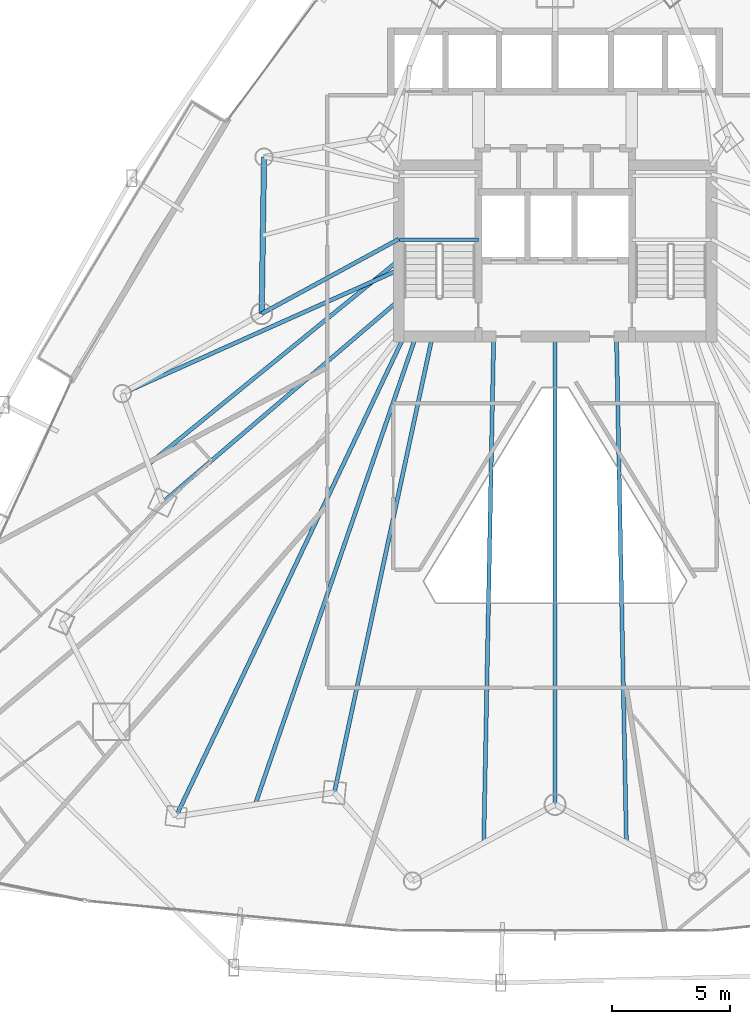
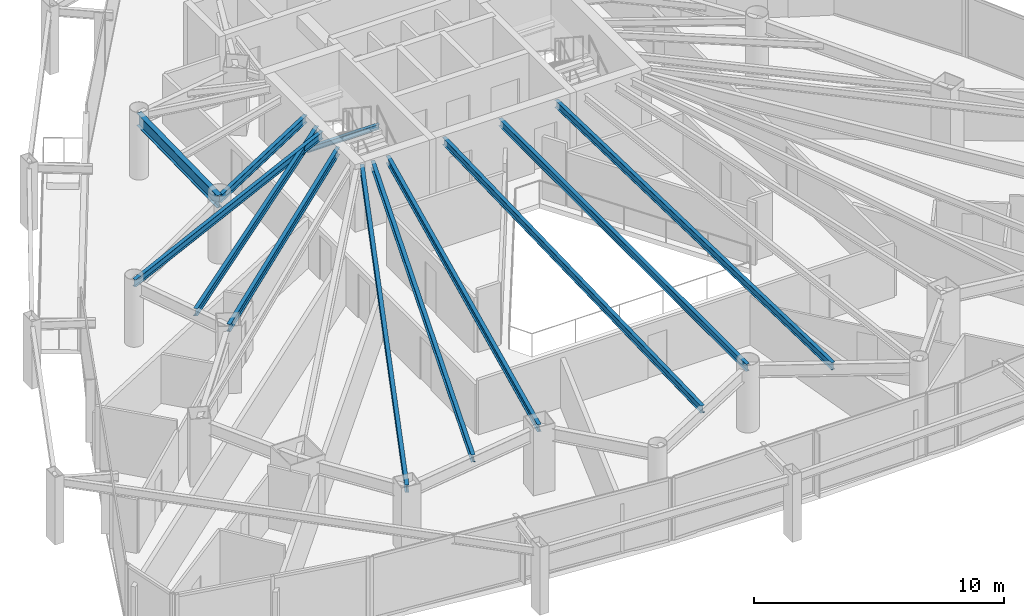
# One storey, part 12 of 38: 12 beams.
"""IFC4 building model written with IfcOpenShell, lengths in metres."""

from ifc_helpers import new_model, si_unit, direction, frame, origin, origin_2d, place, context, subcontext, project, spatial, i_section, extrude, material, material_profile, profile_set, type_object, element, save


model = new_model("IFC4")

# Units and contexts
model_context = context("Model", 3, precision=1e-05, world=origin(), true_north=direction((0.0, 1.0)))
body_context = subcontext(model_context, "Body", "Model", "MODEL_VIEW")
ifc_project = project(units=[si_unit("LENGTHUNIT", "METRE"), si_unit("AREAUNIT", "SQUARE_METRE"), si_unit("VOLUMEUNIT", "CUBIC_METRE"), si_unit("PLANEANGLEUNIT", "RADIAN"), si_unit("MASSUNIT", "GRAM", prefix="KILO")], contexts=[model_context])

# Site, building, storey
site_placement = place(None, origin())
site = spatial("IfcSite", under=ifc_project, at=site_placement, CompositionType="ELEMENT")
building_placement = place(site_placement, origin())
building = spatial("IfcBuilding", under=site, at=building_placement, Name="Orvanel Arch Residences", CompositionType="ELEMENT")
storey_placement = place(building_placement, frame((0.0, 0.0, 46.699951171875)))
storey = spatial("IfcBuildingStorey", under=building, at=storey_placement, Name="L12", CompositionType="ELEMENT", Elevation=46.699951171875)

# Beams
ifc_material = material(Name="Structural steel AS/NZS 3679.1 Grade 300 (300 MPa)", Category="steel")
ifc_material_profile_1 = material_profile(ifc_material, i_section(OverallWidth=0.14599609375, OverallDepth=0.251953125, WebThickness=0.006103515625, FlangeThickness=0.008544921875, at=origin_2d()), Name="250UB31.4")
ifc_profile_set_1 = profile_set([ifc_material_profile_1], Name="Structural steel AS/NZS 3679.1 Grade 300 (300 MPa)")
beam_type_1 = type_object("IfcBeamType", Name="BJ-250UB", PredefinedType="JOIST", material=ifc_profile_set_1)
beam_1_placement = place(storey_placement, frame((26.39990234375, 30.780029296875, 1.323974609375), z_axis=(1.0, 0.0, 0.0), x_axis=(0.0, 1.0, 0.0)))
element("IfcBeam", 1, at=beam_1_placement, inside=storey, type_object=beam_type_1, Name="L12 ST-1 Half-Landing Support Beam 1.1", PredefinedType="JOIST", context=body_context, shape_type="SweptSolid", body=[
    extrude(i_section(OverallWidth=0.14599609375, OverallDepth=0.251953125, WebThickness=0.006103515625, FlangeThickness=0.008544921875, at=origin_2d()), origin(), (0.0, 0.0, 1.0), 3.35009765625),
])
ifc_material_profile_2 = material_profile(ifc_material, i_section(OverallWidth=0.1708984375, OverallDepth=0.35595703125, WebThickness=0.00732421875, FlangeThickness=0.011474609375, at=origin_2d()), Name="360UB50.7")
ifc_profile_set_2 = profile_set([ifc_material_profile_2], Name="Structural steel AS/NZS 3679.1 Grade 300 (300 MPa)")
beam_type_2 = type_object("IfcBeamType", Name="BJ-360UB", PredefinedType="JOIST", material=ifc_profile_set_2)
beam_2_placement = place(storey_placement, frame((26.375, 30.800048828125, 2.882080078125), z_axis=(-0.878399029914, -0.477927969726, 0.0), x_axis=(0.477927969726, -0.878399029914, 0.0)))
element("IfcBeam", 2, at=beam_2_placement, inside=storey, type_object=beam_type_2, Name="L12 NW Wing Floor Joist", PredefinedType="JOIST", context=body_context, shape_type="SweptSolid", body=[
    extrude(i_section(OverallWidth=0.1708984375, OverallDepth=0.35595703125, WebThickness=0.00732421875, FlangeThickness=0.011474609375, at=origin_2d()), origin(), (0.0, 0.0, 1.0), 6.609619140625),
])
beam_3_placement = place(storey_placement, frame((26.375, 28.199951171875, 2.882080078125), z_axis=(-0.760024297953, -0.649894658018, 0.0), x_axis=(0.649894658018, -0.760024297953, 0.0)))
element("IfcBeam", 3, at=beam_3_placement, inside=storey, type_object=beam_type_2, Name="L12 W Wing Floor Joist", PredefinedType="JOIST", context=body_context, shape_type="SweptSolid", body=[
    extrude(i_section(OverallWidth=0.1708984375, OverallDepth=0.35595703125, WebThickness=0.00732421875, FlangeThickness=0.011474609375, at=origin_2d()), origin(), (0.0, 0.0, 1.0), 13.16796875),
])
beam_4_placement = place(storey_placement, frame((27.800048828125, 26.675048828125, 2.882080078125), z_axis=(-0.210066515515, -0.977687096703, 0.0), x_axis=(0.977687096703, -0.210066515515, 0.0)))
element("IfcBeam", 4, at=beam_4_placement, inside=storey, type_object=beam_type_2, Name="L12 SW Wing Floor Joist", PredefinedType="JOIST", context=body_context, shape_type="SweptSolid", body=[
    extrude(i_section(OverallWidth=0.1708984375, OverallDepth=0.35595703125, WebThickness=0.00732421875, FlangeThickness=0.011474609375, at=origin_2d()), origin(), (0.0, 0.0, 1.0), 19.760986328125),
])
beam_5_placement = place(storey_placement, frame((33.0, 26.675048828125, 2.882080078125), z_axis=(0.0, -1.0, 0.0), x_axis=(1.0, 0.0, 0.0)))
element("IfcBeam", 5, at=beam_5_placement, inside=storey, type_object=beam_type_2, Name="L12 SSW Wing Floor Joist", PredefinedType="JOIST", context=body_context, shape_type="SweptSolid", body=[
    extrude(i_section(OverallWidth=0.1708984375, OverallDepth=0.35595703125, WebThickness=0.00732421875, FlangeThickness=0.011474609375, at=origin_2d()), origin(), (0.0, 0.0, 1.0), 19.8310546875),
])
for number, where, z_axis, x_axis, name in (
    (6, (30.39990234375, 26.675048828125, 2.882080078125), (-0.019617680075, -0.999807554797, 0.0), (0.999807554797, -0.019617680075, 0.0), "L12 WSW2 Wing Floor Joist"),
    (7, (35.60009765625, 26.675048828125, 2.882080078125), (0.019617680075, -0.999807554797, 0.0), (0.999807554797, 0.019617680075, 0.0), "L12 ESE2 Wing Floor Joist"),
):
    element("IfcBeam", number, at=place(storey_placement, frame(where, z_axis=z_axis, x_axis=x_axis)), inside=storey, type_object=beam_type_2, Name=name, PredefinedType="JOIST", context=body_context, shape_type="SweptSolid", body=[
        extrude(i_section(OverallWidth=0.1708984375, OverallDepth=0.35595703125, WebThickness=0.00732421875, FlangeThickness=0.011474609375, at=origin_2d()), origin(), (0.0, 0.0, 1.0), 21.455078125),
    ])
beam_6_placement = place(storey_placement, frame((26.60009765625, 26.675048828125, 2.882080078125), z_axis=(-0.429042657795, -0.903284228686, 0.0), x_axis=(0.903284228686, -0.429042657795, 0.0)))
element("IfcBeam", 8, at=beam_6_placement, inside=storey, type_object=beam_type_2, Name="L12 MSW Wing Floor Joist", PredefinedType="JOIST", context=body_context, shape_type="SweptSolid", body=[
    extrude(i_section(OverallWidth=0.1708984375, OverallDepth=0.35595703125, WebThickness=0.00732421875, FlangeThickness=0.011474609375, at=origin_2d()), origin(), (0.0, 0.0, 1.0), 22.513427734375),
])
beam_7_placement = place(storey_placement, frame((26.375, 29.5, 2.882080078125), z_axis=(-0.912704378681, -0.408620505038, 0.0), x_axis=(0.408620505038, -0.912704378681, 0.0)))
element("IfcBeam", 9, at=beam_7_placement, inside=storey, type_object=beam_type_2, Name="L12 LSW Wing Floor Joist", PredefinedType="JOIST", context=body_context, shape_type="SweptSolid", body=[
    extrude(i_section(OverallWidth=0.1708984375, OverallDepth=0.35595703125, WebThickness=0.00732421875, FlangeThickness=0.011474609375, at=origin_2d()), origin(), (0.0, 0.0, 1.0), 12.833251953125),
])
beam_8_placement = place(storey_placement, frame((26.375, 29.89990234375, 2.882080078125), z_axis=(-0.775173162495, -0.631748817291, 0.0), x_axis=(0.631748817291, -0.775173162495, 0.0)))
element("IfcBeam", 10, at=beam_8_placement, inside=storey, type_object=beam_type_2, Name="L12 CTW Wing Floor Joist", PredefinedType="JOIST", context=body_context, shape_type="SweptSolid", body=[
    extrude(i_section(OverallWidth=0.1708984375, OverallDepth=0.35595703125, WebThickness=0.00732421875, FlangeThickness=0.011474609375, at=origin_2d()), origin(), (0.0, 0.0, 1.0), 13.680908203125),
])
beam_9_placement = place(storey_placement, frame((27.10009765625, 26.675048828125, 2.882080078125), z_axis=(-0.324621456495, -0.945844019901, 0.0), x_axis=(0.945844019901, -0.324621456495, 0.0)))
element("IfcBeam", 11, at=beam_9_placement, inside=storey, type_object=beam_type_2, Name="L12 JADD1 Wing Floor Joist", PredefinedType="JOIST", context=body_context, shape_type="SweptSolid", body=[
    extrude(i_section(OverallWidth=0.1708984375, OverallDepth=0.35595703125, WebThickness=0.00732421875, FlangeThickness=0.011474609375, at=origin_2d()), origin(), (0.0, 0.0, 1.0), 20.96337890625),
])
ifc_material_profile_3 = material_profile(ifc_material, i_section(OverallWidth=0.22900390625, OverallDepth=0.612060546875, WebThickness=0.011962890625, FlangeThickness=0.01953125, at=origin_2d()), Name="610UB125")
ifc_profile_set_3 = profile_set([ifc_material_profile_3], Name="Structural steel AS/NZS 3679.1 Grade 300 (300 MPa)")
beam_type_3 = type_object("IfcBeamType", Name="SP-610UB", PredefinedType="SPANDREL", material=ifc_profile_set_3)
beam_10_placement = place(storey_placement, frame((20.669921875, 34.27099609375, 2.754150390625), z_axis=(-0.015206666874, -0.999884371956, 0.0), x_axis=(0.999884371956, -0.015206666874, 0.0)))
element("IfcBeam", 12, at=beam_10_placement, inside=storey, type_object=beam_type_3, Name="L12 Perimeter Spandrel Beam 20", PredefinedType="SPANDREL", context=body_context, shape_type="SweptSolid", body=[
    extrude(i_section(OverallWidth=0.22900390625, OverallDepth=0.612060546875, WebThickness=0.011962890625, FlangeThickness=0.01953125, at=origin_2d()), origin(), (0.0, 0.0, 1.0), 6.630615234375),
])

save(model, "model.ifc")
